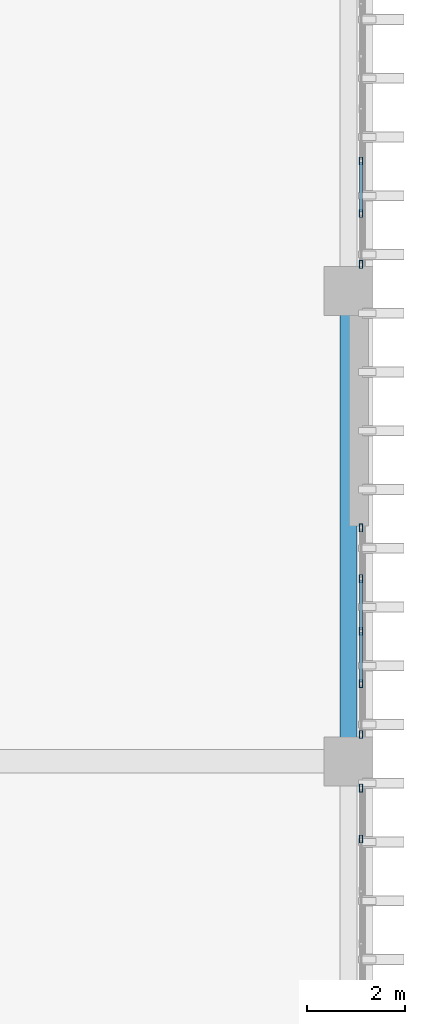
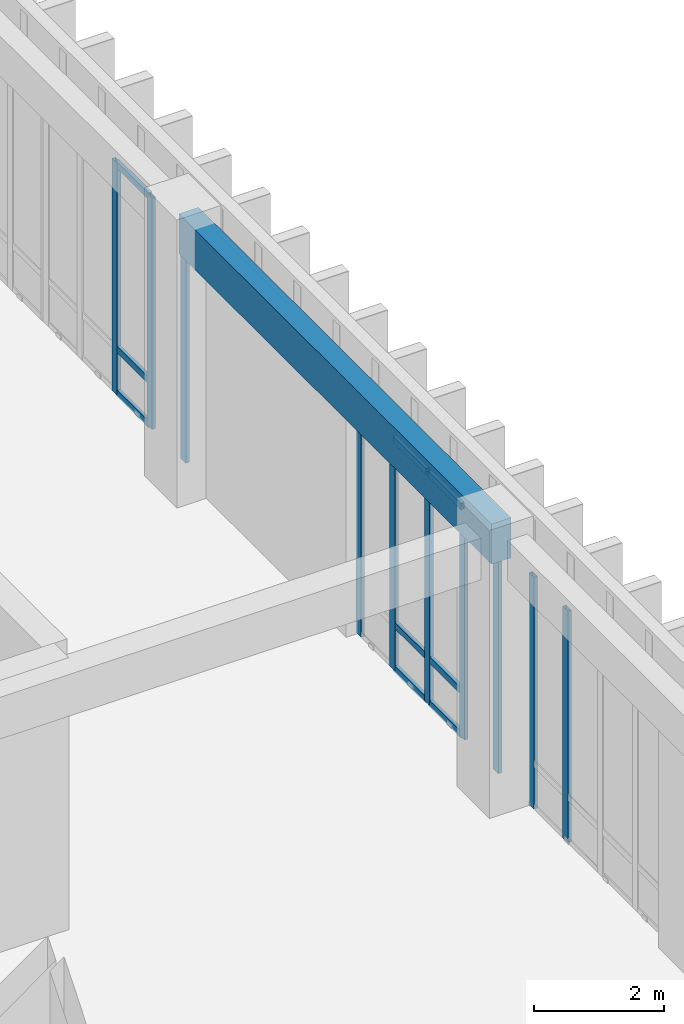
# One storey, part 68 of 134: 19 members, 1 beam, 3 elements without a shape of their own.
"""IFC4 building model written with IfcOpenShell, lengths in metres."""

from ifc_helpers import new_model, si_unit, direction, frame, origin, origin_2d, place, context, subcontext, project, spatial, rectangle, hollow_rectangle, extrude, material, layer, layer_set, material_profile, profile_set, type_object, element, aggregate, save


model = new_model("IFC4")

# Units and contexts
model_context = context("Model", 3, precision=1e-05, world=origin(), true_north=direction((0.0, 1.0)))
body_context = subcontext(model_context, "Body", "Model", "MODEL_VIEW")
ifc_project = project(units=[si_unit("LENGTHUNIT", "METRE"), si_unit("AREAUNIT", "SQUARE_METRE"), si_unit("VOLUMEUNIT", "CUBIC_METRE"), si_unit("PLANEANGLEUNIT", "RADIAN"), si_unit("MASSUNIT", "GRAM", prefix="KILO")], contexts=[model_context])

# Site, building, storey
site_placement = place(None, origin())
site = spatial("IfcSite", under=ifc_project, at=site_placement, CompositionType="ELEMENT")
building_placement = place(site_placement, origin())
building = spatial("IfcBuilding", under=site, at=building_placement, Name="Nakhvara Creek Congress Hotel", CompositionType="ELEMENT")
storey_placement = place(building_placement, frame((0.0, 0.0, 6.0)))
storey = spatial("IfcBuildingStorey", under=building, at=storey_placement, Name="L01", CompositionType="ELEMENT", Elevation=6.0)

# Beam
ifc_material_1 = material(Name="Concrete C40/50", Category="concrete")
ifc_material_profile_1 = material_profile(ifc_material_1, rectangle(XDim=0.35009765625, YDim=0.75, at=origin_2d()), Name="RC-SPANDREL 350x750", Category="LoadBearing")
ifc_profile_set_1 = profile_set([ifc_material_profile_1], Name="Concrete C40/50")
beam_type = type_object("IfcBeamType", Name="BM-SPN-350X750", PredefinedType="SPANDREL", material=ifc_profile_set_1)
beam_placement = place(storey_placement, frame((179.35009765625, 48.0, 4.72509765625), z_axis=(0.0, 1.0, 0.0), x_axis=(-1.0, 0.0, 0.0)))
element("IfcBeam", 1, at=beam_placement, inside=storey, type_object=beam_type, Name="Beam SP1-L01-1354", PredefinedType="SPANDREL", context=body_context, shape_type="SweptSolid", body=[
    extrude(rectangle(XDim=0.35009765625, YDim=0.75, at=origin_2d()), origin(), (0.0, 0.0, 1.0), 9.60009765625),
])

# Curtain wall, members
ifc_material_2 = material(Name="Bronze-anodised aluminium AW-6063-T6 and double-silver low-E glass", Category="aluminium")
ifc_layer = layer(ifc_material_2, 0.199951171875)
ifc_layer_set = layer_set([ifc_layer], Name="Bronze-anodised aluminium AW-6063-T6 and double-silver low-E glass")
curtain_wall_type = type_object("IfcCurtainWallType", Name="CW-HTL-UNIT", PredefinedType="USERDEFINED", material=ifc_layer_set)
curtain_wall_1_placement = place(storey_placement, origin())
curtain_wall_1 = element("IfcCurtainWall", 2, at=curtain_wall_1_placement, inside=storey, type_object=curtain_wall_type, Name="Curtain Wall CW112", ObjectType="UNITISED", PredefinedType="USERDEFINED")
ifc_material_3 = material(Name="Bronze-anodised aluminium AW-6063-T6", Category="aluminium")
ifc_material_profile_2 = material_profile(ifc_material_3, hollow_rectangle(XDim=0.06494140625, YDim=0.159912109375, WallThickness=0.00390625, at=origin_2d()), Name="ALU-MULL 65x160x4", Category="LoadBearing")
ifc_profile_set_2 = profile_set([ifc_material_profile_2], Name="Bronze-anodised aluminium AW-6063-T6")
member_type_1 = type_object("IfcMemberType", Name="CW-MULL-160", PredefinedType="MULLION", material=ifc_profile_set_2)
member_1_placement = place(storey_placement, frame((179.60009765625, 47.452392578125, 0.0), z_axis=(0.0, 0.0, 1.0), x_axis=(1.0, 0.0, 0.0)))
member_1 = element("IfcMember", 3, at=member_1_placement, type_object=member_type_1, Name="CW112 mullion 1", PredefinedType="MULLION", context=body_context, shape_type="SweptSolid", body=[
    extrude(hollow_rectangle(XDim=0.06494140625, YDim=0.159912109375, WallThickness=0.00390625, at=origin_2d()), origin(), (0.0, 0.0, 1.0), 4.342041015625),
])
member_2_placement = place(storey_placement, frame((179.60009765625, 46.413818359375, 0.0), z_axis=(0.0, 0.0, 1.0), x_axis=(1.0, 0.0, 0.0)))
member_2 = element("IfcMember", 4, at=member_2_placement, type_object=member_type_1, Name="CW112 mullion 2", PredefinedType="MULLION", context=body_context, shape_type="SweptSolid", body=[
    extrude(hollow_rectangle(XDim=0.06494140625, YDim=0.159912109375, WallThickness=0.00390625, at=origin_2d()), origin(), (0.0, 0.0, 1.0), 4.342041015625),
])
aggregate(curtain_wall_1, [member_1, member_2])

curtain_wall_2_placement = place(storey_placement, origin())
curtain_wall_2 = element("IfcCurtainWall", 5, at=curtain_wall_2_placement, inside=storey, type_object=curtain_wall_type, Name="Curtain Wall CW113", ObjectType="UNITISED", PredefinedType="USERDEFINED")
member_3_placement = place(storey_placement, frame((179.60009765625, 52.767578125, 0.0), z_axis=(0.0, 0.0, 1.0), x_axis=(1.0, 0.0, 0.0)))
member_3 = element("IfcMember", 6, at=member_3_placement, type_object=member_type_1, Name="CW113 mullion 1", PredefinedType="MULLION", context=body_context, shape_type="SweptSolid", body=[
    extrude(hollow_rectangle(XDim=0.06494140625, YDim=0.159912109375, WallThickness=0.00390625, at=origin_2d()), origin(), (0.0, 0.0, 1.0), 4.342041015625),
])
member_4_placement = place(storey_placement, frame((179.60009765625, 51.728759765625, 0.0), z_axis=(0.0, 0.0, 1.0), x_axis=(1.0, 0.0, 0.0)))
member_4 = element("IfcMember", 7, at=member_4_placement, type_object=member_type_1, Name="CW113 mullion 2", PredefinedType="MULLION", context=body_context, shape_type="SweptSolid", body=[
    extrude(hollow_rectangle(XDim=0.06494140625, YDim=0.159912109375, WallThickness=0.00390625, at=origin_2d()), origin(), (0.0, 0.0, 1.0), 4.342041015625),
])
member_5_placement = place(storey_placement, frame((179.60009765625, 50.657470703125, 0.0), z_axis=(0.0, 0.0, 1.0), x_axis=(1.0, 0.0, 0.0)))
member_5 = element("IfcMember", 8, at=member_5_placement, type_object=member_type_1, Name="CW113 mullion 3", PredefinedType="MULLION", context=body_context, shape_type="SweptSolid", body=[
    extrude(hollow_rectangle(XDim=0.06494140625, YDim=0.159912109375, WallThickness=0.00390625, at=origin_2d()), origin(), (0.0, 0.0, 1.0), 4.342041015625),
])
member_6_placement = place(storey_placement, frame((179.60009765625, 49.586181640625, 0.0), z_axis=(0.0, 0.0, 1.0), x_axis=(1.0, 0.0, 0.0)))
member_6 = element("IfcMember", 9, at=member_6_placement, type_object=member_type_1, Name="CW113 mullion 4", PredefinedType="MULLION", context=body_context, shape_type="SweptSolid", body=[
    extrude(hollow_rectangle(XDim=0.06494140625, YDim=0.159912109375, WallThickness=0.00390625, at=origin_2d()), origin(), (0.0, 0.0, 1.0), 4.342041015625),
])
member_7_placement = place(storey_placement, frame((179.60009765625, 48.547607421875, 0.0), z_axis=(0.0, 0.0, 1.0), x_axis=(1.0, 0.0, 0.0)))
member_7 = element("IfcMember", 10, at=member_7_placement, type_object=member_type_1, Name="CW113 mullion 5", PredefinedType="MULLION", context=body_context, shape_type="SweptSolid", body=[
    extrude(hollow_rectangle(XDim=0.06494140625, YDim=0.159912109375, WallThickness=0.00390625, at=origin_2d()), origin(), (0.0, 0.0, 1.0), 4.342041015625),
])

curtain_wall_3_placement = place(storey_placement, origin())
curtain_wall_3 = element("IfcCurtainWall", 11, at=curtain_wall_3_placement, inside=storey, type_object=curtain_wall_type, Name="Curtain Wall CW114", ObjectType="UNITISED", PredefinedType="USERDEFINED")
member_8_placement = place(storey_placement, frame((179.60009765625, 60.257568359375, 0.0), z_axis=(0.0, 0.0, 1.0), x_axis=(1.0, 0.0, 0.0)))
member_8 = element("IfcMember", 12, at=member_8_placement, type_object=member_type_1, Name="CW114 mullion 3", PredefinedType="MULLION", context=body_context, shape_type="SweptSolid", body=[
    extrude(hollow_rectangle(XDim=0.06494140625, YDim=0.159912109375, WallThickness=0.00390625, at=origin_2d()), origin(), (0.0, 0.0, 1.0), 4.342041015625),
])
member_9_placement = place(storey_placement, frame((179.60009765625, 59.186279296875, 0.0), z_axis=(0.0, 0.0, 1.0), x_axis=(1.0, 0.0, 0.0)))
member_9 = element("IfcMember", 13, at=member_9_placement, type_object=member_type_1, Name="CW114 mullion 4", PredefinedType="MULLION", context=body_context, shape_type="SweptSolid", body=[
    extrude(hollow_rectangle(XDim=0.06494140625, YDim=0.159912109375, WallThickness=0.00390625, at=origin_2d()), origin(), (0.0, 0.0, 1.0), 4.342041015625),
])
member_10_placement = place(storey_placement, frame((179.60009765625, 58.1474609375, 0.0), z_axis=(0.0, 0.0, 1.0), x_axis=(1.0, 0.0, 0.0)))
member_10 = element("IfcMember", 14, at=member_10_placement, type_object=member_type_1, Name="CW114 mullion 5", PredefinedType="MULLION", context=body_context, shape_type="SweptSolid", body=[
    extrude(hollow_rectangle(XDim=0.06494140625, YDim=0.159912109375, WallThickness=0.00390625, at=origin_2d()), origin(), (0.0, 0.0, 1.0), 4.342041015625),
])

# Member
ifc_material_profile_3 = material_profile(ifc_material_3, hollow_rectangle(XDim=0.06494140625, YDim=0.1201171875, WallThickness=0.00390625, at=origin_2d()), Name="ALU-TRAN 65x120x4", Category="LoadBearing")
ifc_profile_set_3 = profile_set([ifc_material_profile_3], Name="Bronze-anodised aluminium AW-6063-T6")
member_type_2 = type_object("IfcMemberType", Name="CW-TRAN-120", PredefinedType="USERDEFINED", material=ifc_profile_set_3)
member_11_placement = place(storey_placement, frame((179.60009765625, 51.6962890625, 0.032470703125), z_axis=(0.0, -1.0, 0.0), x_axis=(1.0, 0.0, 0.0)))
member_11 = element("IfcMember", 15, at=member_11_placement, type_object=member_type_2, Name="CW113 transom 2.1", ObjectType="TRANSOM", PredefinedType="USERDEFINED", context=body_context, shape_type="SweptSolid", body=[
    extrude(hollow_rectangle(XDim=0.06494140625, YDim=0.1201171875, WallThickness=0.00390625, at=origin_2d()), origin(), (0.0, 0.0, 1.0), 1.00634765625),
])

member_12_placement = place(storey_placement, frame((179.60009765625, 51.6962890625, 0.85009765625), z_axis=(0.0, -1.0, 0.0), x_axis=(1.0, 0.0, 0.0)))
member_12 = element("IfcMember", 16, at=member_12_placement, type_object=member_type_2, Name="CW113 transom 2.2", ObjectType="TRANSOM", PredefinedType="USERDEFINED", context=body_context, shape_type="SweptSolid", body=[
    extrude(hollow_rectangle(XDim=0.06494140625, YDim=0.1201171875, WallThickness=0.00390625, at=origin_2d()), origin(), (0.0, 0.0, 1.0), 1.00634765625),
])

member_13_placement = place(storey_placement, frame((179.60009765625, 51.6962890625, 4.3095703125), z_axis=(0.0, -1.0, 0.0), x_axis=(1.0, 0.0, 0.0)))
member_13 = element("IfcMember", 17, at=member_13_placement, type_object=member_type_2, Name="CW113 transom 2.3", ObjectType="TRANSOM", PredefinedType="USERDEFINED", context=body_context, shape_type="SweptSolid", body=[
    extrude(hollow_rectangle(XDim=0.06494140625, YDim=0.1201171875, WallThickness=0.00390625, at=origin_2d()), origin(), (0.0, 0.0, 1.0), 1.00634765625),
])

member_14_placement = place(storey_placement, frame((179.60009765625, 50.625, 0.032470703125), z_axis=(0.0, -1.0, 0.0), x_axis=(1.0, 0.0, 0.0)))
member_14 = element("IfcMember", 18, at=member_14_placement, type_object=member_type_2, Name="CW113 transom 3.1", ObjectType="TRANSOM", PredefinedType="USERDEFINED", context=body_context, shape_type="SweptSolid", body=[
    extrude(hollow_rectangle(XDim=0.06494140625, YDim=0.1201171875, WallThickness=0.00390625, at=origin_2d()), origin(), (0.0, 0.0, 1.0), 1.00634765625),
])

member_15_placement = place(storey_placement, frame((179.60009765625, 50.625, 0.85009765625), z_axis=(0.0, -1.0, 0.0), x_axis=(1.0, 0.0, 0.0)))
member_15 = element("IfcMember", 19, at=member_15_placement, type_object=member_type_2, Name="CW113 transom 3.2", ObjectType="TRANSOM", PredefinedType="USERDEFINED", context=body_context, shape_type="SweptSolid", body=[
    extrude(hollow_rectangle(XDim=0.06494140625, YDim=0.1201171875, WallThickness=0.00390625, at=origin_2d()), origin(), (0.0, 0.0, 1.0), 1.00634765625),
])

member_16_placement = place(storey_placement, frame((179.60009765625, 50.625, 4.3095703125), z_axis=(0.0, -1.0, 0.0), x_axis=(1.0, 0.0, 0.0)))
member_16 = element("IfcMember", 20, at=member_16_placement, type_object=member_type_2, Name="CW113 transom 3.3", ObjectType="TRANSOM", PredefinedType="USERDEFINED", context=body_context, shape_type="SweptSolid", body=[
    extrude(hollow_rectangle(XDim=0.06494140625, YDim=0.1201171875, WallThickness=0.00390625, at=origin_2d()), origin(), (0.0, 0.0, 1.0), 1.00634765625),
])

aggregate(curtain_wall_2, [member_3, member_4, member_5, member_6, member_7, member_11, member_12, member_13, member_14, member_15, member_16])

member_17_placement = place(storey_placement, frame((179.60009765625, 60.22509765625, 0.032470703125), z_axis=(0.0, -1.0, 0.0), x_axis=(1.0, 0.0, 0.0)))
member_17 = element("IfcMember", 21, at=member_17_placement, type_object=member_type_2, Name="CW114 transom 3.1", ObjectType="TRANSOM", PredefinedType="USERDEFINED", context=body_context, shape_type="SweptSolid", body=[
    extrude(hollow_rectangle(XDim=0.06494140625, YDim=0.1201171875, WallThickness=0.00390625, at=origin_2d()), origin(), (0.0, 0.0, 1.0), 1.00634765625),
])

member_18_placement = place(storey_placement, frame((179.60009765625, 60.22509765625, 0.85009765625), z_axis=(0.0, -1.0, 0.0), x_axis=(1.0, 0.0, 0.0)))
member_18 = element("IfcMember", 22, at=member_18_placement, type_object=member_type_2, Name="CW114 transom 3.2", ObjectType="TRANSOM", PredefinedType="USERDEFINED", context=body_context, shape_type="SweptSolid", body=[
    extrude(hollow_rectangle(XDim=0.06494140625, YDim=0.1201171875, WallThickness=0.00390625, at=origin_2d()), origin(), (0.0, 0.0, 1.0), 1.00634765625),
])

member_19_placement = place(storey_placement, frame((179.60009765625, 60.22509765625, 4.3095703125), z_axis=(0.0, -1.0, 0.0), x_axis=(1.0, 0.0, 0.0)))
member_19 = element("IfcMember", 23, at=member_19_placement, type_object=member_type_2, Name="CW114 transom 3.3", ObjectType="TRANSOM", PredefinedType="USERDEFINED", context=body_context, shape_type="SweptSolid", body=[
    extrude(hollow_rectangle(XDim=0.06494140625, YDim=0.1201171875, WallThickness=0.00390625, at=origin_2d()), origin(), (0.0, 0.0, 1.0), 1.00634765625),
])

aggregate(curtain_wall_3, [member_8, member_9, member_10, member_17, member_18, member_19])

save(model, "model.ifc")
